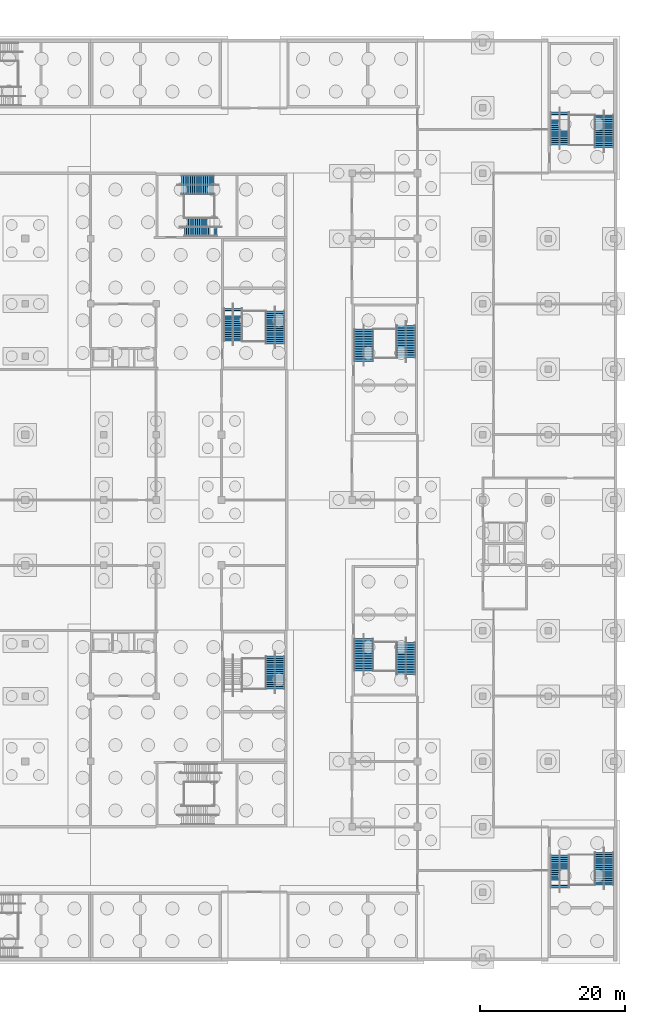
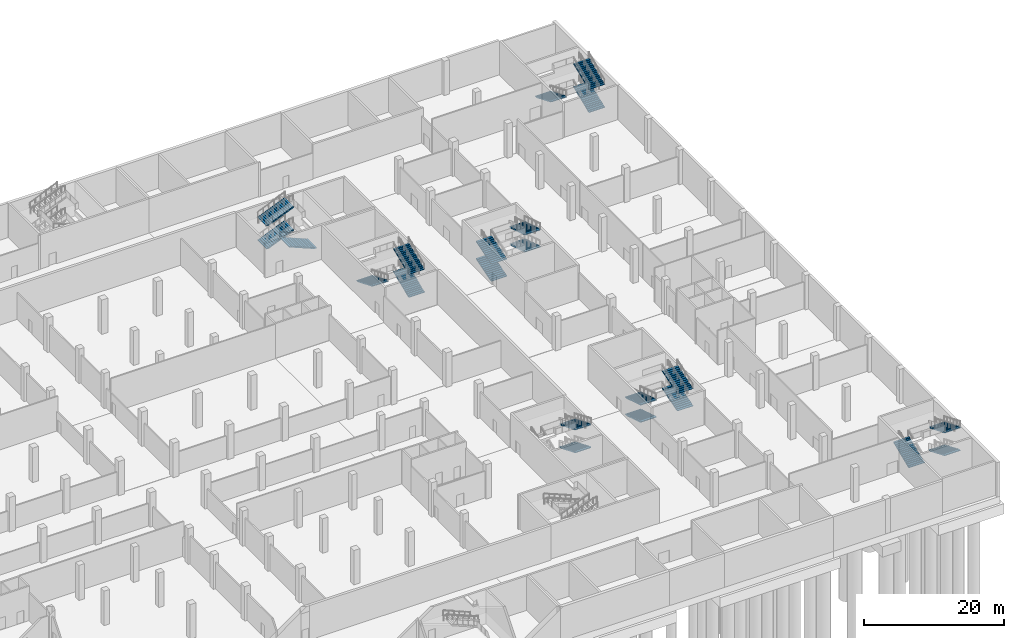
# One storey, part 25 of 42: 22 stair flights, 7 elements without a shape of their own.
"""IFC4 building model written with IfcOpenShell, lengths in metres."""

from ifc_helpers import new_model, si_unit, direction, frame, origin, place, context, subcontext, project, spatial, polyline, outline, extrude, material, type_object, element, aggregate, save


model = new_model("IFC4")

# Units and contexts
model_context = context("Model", 3, precision=1e-05, world=origin(), true_north=direction((0.0, 1.0)))
body_context = subcontext(model_context, "Body", "Model", "MODEL_VIEW")
ifc_project = project(units=[si_unit("LENGTHUNIT", "METRE"), si_unit("AREAUNIT", "SQUARE_METRE"), si_unit("VOLUMEUNIT", "CUBIC_METRE"), si_unit("PLANEANGLEUNIT", "RADIAN"), si_unit("MASSUNIT", "GRAM", prefix="KILO")], contexts=[model_context])

# Site, building, storey
site_placement = place(None, origin())
site = spatial("IfcSite", under=ifc_project, at=site_placement, CompositionType="ELEMENT")
building_placement = place(site_placement, origin())
building = spatial("IfcBuilding", under=site, at=building_placement, Name="Silverbay Arena", CompositionType="ELEMENT")
storey_placement = place(building_placement, frame((0.0, 0.0, -6.0)))
storey = spatial("IfcBuildingStorey", under=building, at=storey_placement, Name="B1", CompositionType="ELEMENT", Elevation=-6.0)

# Stair, stair flights
ifc_material_1 = material(Name="Concrete Grade C45", Category="concrete")
stair_type_1 = type_object("IfcStairType", Name="Stair 2600 wide 56 risers 107.1 x 340", PredefinedType="HALF_TURN_STAIR", material=ifc_material_1)
stair_1_placement = place(storey_placement, origin())
stair_1 = element("IfcStair", 1, at=stair_1_placement, inside=storey, type_object=stair_type_1, Name="Stair ST-E1 B1 to L00", PredefinedType="HALF_TURN_STAIR")
ifc_material_2 = material(Name="Concrete Grade C45", Category="concrete")
stair_flight_type_1 = type_object("IfcStairFlightType", Name="Stair flight 2600 wide 14 risers 107.1 x 340", PredefinedType="STRAIGHT", material=ifc_material_2)
stair_flight_1_placement = place(storey_placement, frame((199.60009765625, 61.899169921875, 0.0), z_axis=(0.0, 0.0, 1.0), x_axis=(0.0, -1.0, 0.0)))
stair_flight_1 = element("IfcStairFlight", 2, at=stair_flight_1_placement, type_object=stair_flight_type_1, Name="Stair ST-E1 B1 to L00 flight 1", NumberOfRisers=14, NumberOfTreads=13, PredefinedType="STRAIGHT", RiserHeight=0.107142857, TreadLength=0.34, context=body_context, shape_type="SweptSolid", body=[
    extrude(outline(polyline([(0.0, 0.0), (0.0, 0.107177734375), (0.340087890625, 0.107177734375), (0.340087890625, 0.21435546875), (0.679931640625, 0.21435546875), (0.679931640625, 0.321533203125), (1.02001953125, 0.321533203125), (1.02001953125, 0.428466796875), (1.360107421875, 0.428466796875), (1.360107421875, 0.53564453125), (1.699951171875, 0.53564453125), (1.699951171875, 0.642822265625), (2.0400390625, 0.642822265625), (2.0400390625, 0.75), (2.3798828125, 0.75), (2.3798828125, 0.857177734375), (2.719970703125, 0.857177734375), (2.719970703125, 0.96435546875), (3.06005859375, 0.96435546875), (3.06005859375, 1.071533203125), (3.39990234375, 1.071533203125), (3.39990234375, 1.178466796875), (3.739990234375, 1.178466796875), (3.739990234375, 1.28564453125), (4.080078125, 1.28564453125), (4.080078125, 1.392822265625), (4.419921875, 1.392822265625), (4.419921875, 1.235595703125), (0.498779296875, 0.0), (0.0, 0.0)])), frame((0.0, 1.300048828125, 0.0), z_axis=(0.0, -1.0, 0.0), x_axis=(1.0, 0.0, 0.0)), (0.0, 0.0, 1.0), 2.60009765625),
])
stair_flight_2_placement = place(storey_placement, frame((205.39990234375, 56.97998046875, 1.5), z_axis=(0.0, 0.0, 1.0), x_axis=(0.0, 1.0, 0.0)))
stair_flight_2 = element("IfcStairFlight", 3, at=stair_flight_2_placement, type_object=stair_flight_type_1, Name="Stair ST-E1 B1 to L00 flight 2", NumberOfRisers=14, NumberOfTreads=13, PredefinedType="STRAIGHT", RiserHeight=0.107142857, TreadLength=0.34, context=body_context, shape_type="SweptSolid", body=[
    extrude(outline(polyline([(0.0, 0.0), (0.0, 0.107177734375), (0.340087890625, 0.107177734375), (0.340087890625, 0.21435546875), (0.679931640625, 0.21435546875), (0.679931640625, 0.321533203125), (1.02001953125, 0.321533203125), (1.02001953125, 0.428466796875), (1.360107421875, 0.428466796875), (1.360107421875, 0.53564453125), (1.699951171875, 0.53564453125), (1.699951171875, 0.642822265625), (2.0400390625, 0.642822265625), (2.0400390625, 0.75), (2.3798828125, 0.75), (2.3798828125, 0.857177734375), (2.719970703125, 0.857177734375), (2.719970703125, 0.96435546875), (3.06005859375, 0.96435546875), (3.06005859375, 1.071533203125), (3.39990234375, 1.071533203125), (3.39990234375, 1.178466796875), (3.739990234375, 1.178466796875), (3.739990234375, 1.28564453125), (4.080078125, 1.28564453125), (4.080078125, 1.392822265625), (4.419921875, 1.392822265625), (4.419921875, 1.235595703125), (0.498779296875, 0.0), (0.0, 0.0)])), frame((0.0, 1.300048828125, 0.0), z_axis=(0.0, -1.0, 0.0), x_axis=(1.0, 0.0, 0.0)), (0.0, 0.0, 1.0), 2.60009765625),
])
stair_flight_3_placement = place(storey_placement, frame((199.60009765625, 61.899169921875, 3.0), z_axis=(0.0, 0.0, 1.0), x_axis=(0.0, -1.0, 0.0)))
stair_flight_3 = element("IfcStairFlight", 4, at=stair_flight_3_placement, type_object=stair_flight_type_1, Name="Stair ST-E1 B1 to L00 flight 3", NumberOfRisers=14, NumberOfTreads=13, PredefinedType="STRAIGHT", RiserHeight=0.107142857, TreadLength=0.34, context=body_context, shape_type="SweptSolid", body=[
    extrude(outline(polyline([(0.0, 0.0), (0.0, 0.107177734375), (0.340087890625, 0.107177734375), (0.340087890625, 0.21435546875), (0.679931640625, 0.21435546875), (0.679931640625, 0.321533203125), (1.02001953125, 0.321533203125), (1.02001953125, 0.428466796875), (1.360107421875, 0.428466796875), (1.360107421875, 0.53564453125), (1.699951171875, 0.53564453125), (1.699951171875, 0.642822265625), (2.0400390625, 0.642822265625), (2.0400390625, 0.75), (2.3798828125, 0.75), (2.3798828125, 0.857177734375), (2.719970703125, 0.857177734375), (2.719970703125, 0.96435546875), (3.06005859375, 0.96435546875), (3.06005859375, 1.071533203125), (3.39990234375, 1.071533203125), (3.39990234375, 1.178466796875), (3.739990234375, 1.178466796875), (3.739990234375, 1.28564453125), (4.080078125, 1.28564453125), (4.080078125, 1.392822265625), (4.419921875, 1.392822265625), (4.419921875, 1.235595703125), (0.498779296875, 0.0), (0.0, 0.0)])), frame((0.0, 1.300048828125, 0.0), z_axis=(0.0, -1.0, 0.0), x_axis=(1.0, 0.0, 0.0)), (0.0, 0.0, 1.0), 2.60009765625),
])
stair_flight_4_placement = place(storey_placement, frame((205.39990234375, 56.97998046875, 4.5), z_axis=(0.0, 0.0, 1.0), x_axis=(0.0, 1.0, 0.0)))
stair_flight_4 = element("IfcStairFlight", 5, at=stair_flight_4_placement, type_object=stair_flight_type_1, Name="Stair ST-E1 B1 to L00 flight 4", NumberOfRisers=14, NumberOfTreads=13, PredefinedType="STRAIGHT", RiserHeight=0.107142857, TreadLength=0.34, context=body_context, shape_type="SweptSolid", body=[
    extrude(outline(polyline([(0.0, 0.0), (0.0, 0.107177734375), (0.340087890625, 0.107177734375), (0.340087890625, 0.21435546875), (0.679931640625, 0.21435546875), (0.679931640625, 0.321533203125), (1.02001953125, 0.321533203125), (1.02001953125, 0.428466796875), (1.360107421875, 0.428466796875), (1.360107421875, 0.53564453125), (1.699951171875, 0.53564453125), (1.699951171875, 0.642822265625), (2.0400390625, 0.642822265625), (2.0400390625, 0.75), (2.3798828125, 0.75), (2.3798828125, 0.857177734375), (2.719970703125, 0.857177734375), (2.719970703125, 0.96435546875), (3.06005859375, 0.96435546875), (3.06005859375, 1.071533203125), (3.39990234375, 1.071533203125), (3.39990234375, 1.178466796875), (3.739990234375, 1.178466796875), (3.739990234375, 1.28564453125), (4.080078125, 1.28564453125), (4.080078125, 1.392822265625), (4.419921875, 1.392822265625), (4.419921875, 1.235595703125), (0.498779296875, 0.0), (0.0, 0.0)])), frame((0.0, 1.300048828125, 0.0), z_axis=(0.0, -1.0, 0.0), x_axis=(1.0, 0.0, 0.0)), (0.0, 0.0, 1.0), 2.60009765625),
])
aggregate(stair_1, [stair_flight_1, stair_flight_2, stair_flight_3, stair_flight_4])

stair_2_placement = place(storey_placement, origin())
stair_2 = element("IfcStair", 6, at=stair_2_placement, inside=storey, type_object=stair_type_1, Name="Stair ST-E2 B1 to L00", PredefinedType="HALF_TURN_STAIR")
stair_flight_5_placement = place(storey_placement, frame((199.60009765625, 100.100830078125, 0.0), z_axis=(0.0, 0.0, 1.0), x_axis=(0.0, 1.0, 0.0)))
stair_flight_5 = element("IfcStairFlight", 7, at=stair_flight_5_placement, type_object=stair_flight_type_1, Name="Stair ST-E2 B1 to L00 flight 1", NumberOfRisers=14, NumberOfTreads=13, PredefinedType="STRAIGHT", RiserHeight=0.107142857, TreadLength=0.34, context=body_context, shape_type="SweptSolid", body=[
    extrude(outline(polyline([(0.0, 0.0), (0.0, 0.107177734375), (0.340087890625, 0.107177734375), (0.340087890625, 0.21435546875), (0.679931640625, 0.21435546875), (0.679931640625, 0.321533203125), (1.02001953125, 0.321533203125), (1.02001953125, 0.428466796875), (1.360107421875, 0.428466796875), (1.360107421875, 0.53564453125), (1.699951171875, 0.53564453125), (1.699951171875, 0.642822265625), (2.0400390625, 0.642822265625), (2.0400390625, 0.75), (2.3798828125, 0.75), (2.3798828125, 0.857177734375), (2.719970703125, 0.857177734375), (2.719970703125, 0.96435546875), (3.06005859375, 0.96435546875), (3.06005859375, 1.071533203125), (3.39990234375, 1.071533203125), (3.39990234375, 1.178466796875), (3.739990234375, 1.178466796875), (3.739990234375, 1.28564453125), (4.080078125, 1.28564453125), (4.080078125, 1.392822265625), (4.419921875, 1.392822265625), (4.419921875, 1.235595703125), (0.498779296875, 0.0), (0.0, 0.0)])), frame((0.0, 1.300048828125, 0.0), z_axis=(0.0, -1.0, 0.0), x_axis=(1.0, 0.0, 0.0)), (0.0, 0.0, 1.0), 2.60009765625),
])
stair_flight_6_placement = place(storey_placement, frame((205.39990234375, 105.02001953125, 1.5), z_axis=(0.0, 0.0, 1.0), x_axis=(0.0, -1.0, 0.0)))
stair_flight_6 = element("IfcStairFlight", 8, at=stair_flight_6_placement, type_object=stair_flight_type_1, Name="Stair ST-E2 B1 to L00 flight 2", NumberOfRisers=14, NumberOfTreads=13, PredefinedType="STRAIGHT", RiserHeight=0.107142857, TreadLength=0.34, context=body_context, shape_type="SweptSolid", body=[
    extrude(outline(polyline([(0.0, 0.0), (0.0, 0.107177734375), (0.340087890625, 0.107177734375), (0.340087890625, 0.21435546875), (0.679931640625, 0.21435546875), (0.679931640625, 0.321533203125), (1.02001953125, 0.321533203125), (1.02001953125, 0.428466796875), (1.360107421875, 0.428466796875), (1.360107421875, 0.53564453125), (1.699951171875, 0.53564453125), (1.699951171875, 0.642822265625), (2.0400390625, 0.642822265625), (2.0400390625, 0.75), (2.3798828125, 0.75), (2.3798828125, 0.857177734375), (2.719970703125, 0.857177734375), (2.719970703125, 0.96435546875), (3.06005859375, 0.96435546875), (3.06005859375, 1.071533203125), (3.39990234375, 1.071533203125), (3.39990234375, 1.178466796875), (3.739990234375, 1.178466796875), (3.739990234375, 1.28564453125), (4.080078125, 1.28564453125), (4.080078125, 1.392822265625), (4.419921875, 1.392822265625), (4.419921875, 1.235595703125), (0.498779296875, 0.0), (0.0, 0.0)])), frame((0.0, 1.300048828125, 0.0), z_axis=(0.0, -1.0, 0.0), x_axis=(1.0, 0.0, 0.0)), (0.0, 0.0, 1.0), 2.60009765625),
])
stair_flight_7_placement = place(storey_placement, frame((199.60009765625, 100.100830078125, 3.0), z_axis=(0.0, 0.0, 1.0), x_axis=(0.0, 1.0, 0.0)))
stair_flight_7 = element("IfcStairFlight", 9, at=stair_flight_7_placement, type_object=stair_flight_type_1, Name="Stair ST-E2 B1 to L00 flight 3", NumberOfRisers=14, NumberOfTreads=13, PredefinedType="STRAIGHT", RiserHeight=0.107142857, TreadLength=0.34, context=body_context, shape_type="SweptSolid", body=[
    extrude(outline(polyline([(0.0, 0.0), (0.0, 0.107177734375), (0.340087890625, 0.107177734375), (0.340087890625, 0.21435546875), (0.679931640625, 0.21435546875), (0.679931640625, 0.321533203125), (1.02001953125, 0.321533203125), (1.02001953125, 0.428466796875), (1.360107421875, 0.428466796875), (1.360107421875, 0.53564453125), (1.699951171875, 0.53564453125), (1.699951171875, 0.642822265625), (2.0400390625, 0.642822265625), (2.0400390625, 0.75), (2.3798828125, 0.75), (2.3798828125, 0.857177734375), (2.719970703125, 0.857177734375), (2.719970703125, 0.96435546875), (3.06005859375, 0.96435546875), (3.06005859375, 1.071533203125), (3.39990234375, 1.071533203125), (3.39990234375, 1.178466796875), (3.739990234375, 1.178466796875), (3.739990234375, 1.28564453125), (4.080078125, 1.28564453125), (4.080078125, 1.392822265625), (4.419921875, 1.392822265625), (4.419921875, 1.235595703125), (0.498779296875, 0.0), (0.0, 0.0)])), frame((0.0, 1.300048828125, 0.0), z_axis=(0.0, -1.0, 0.0), x_axis=(1.0, 0.0, 0.0)), (0.0, 0.0, 1.0), 2.60009765625),
])
stair_flight_8_placement = place(storey_placement, frame((205.39990234375, 105.02001953125, 4.5), z_axis=(0.0, 0.0, 1.0), x_axis=(0.0, -1.0, 0.0)))
stair_flight_8 = element("IfcStairFlight", 10, at=stair_flight_8_placement, type_object=stair_flight_type_1, Name="Stair ST-E2 B1 to L00 flight 4", NumberOfRisers=14, NumberOfTreads=13, PredefinedType="STRAIGHT", RiserHeight=0.107142857, TreadLength=0.34, context=body_context, shape_type="SweptSolid", body=[
    extrude(outline(polyline([(0.0, 0.0), (0.0, 0.107177734375), (0.340087890625, 0.107177734375), (0.340087890625, 0.21435546875), (0.679931640625, 0.21435546875), (0.679931640625, 0.321533203125), (1.02001953125, 0.321533203125), (1.02001953125, 0.428466796875), (1.360107421875, 0.428466796875), (1.360107421875, 0.53564453125), (1.699951171875, 0.53564453125), (1.699951171875, 0.642822265625), (2.0400390625, 0.642822265625), (2.0400390625, 0.75), (2.3798828125, 0.75), (2.3798828125, 0.857177734375), (2.719970703125, 0.857177734375), (2.719970703125, 0.96435546875), (3.06005859375, 0.96435546875), (3.06005859375, 1.071533203125), (3.39990234375, 1.071533203125), (3.39990234375, 1.178466796875), (3.739990234375, 1.178466796875), (3.739990234375, 1.28564453125), (4.080078125, 1.28564453125), (4.080078125, 1.392822265625), (4.419921875, 1.392822265625), (4.419921875, 1.235595703125), (0.498779296875, 0.0), (0.0, 0.0)])), frame((0.0, 1.300048828125, 0.0), z_axis=(0.0, -1.0, 0.0), x_axis=(1.0, 0.0, 0.0)), (0.0, 0.0, 1.0), 2.60009765625),
])
aggregate(stair_2, [stair_flight_5, stair_flight_6, stair_flight_7, stair_flight_8])

ifc_material_3 = material(Name="Concrete Grade C45", Category="concrete")
stair_type_2 = type_object("IfcStairType", Name="Stair 2600 wide 48 risers 125.0 x 300", PredefinedType="HALF_TURN_STAIR", material=ifc_material_3)
stair_3_placement = place(storey_placement, origin())
stair_3 = element("IfcStair", 11, at=stair_3_placement, inside=storey, type_object=stair_type_2, Name="Stair ST-SE2 B1 to L00", PredefinedType="HALF_TURN_STAIR")
ifc_material_4 = material(Name="Concrete Grade C45", Category="concrete")
stair_flight_type_2 = type_object("IfcStairFlightType", Name="Stair flight 2600 wide 16 risers 125.0 x 300", PredefinedType="STRAIGHT", material=ifc_material_4)
stair_flight_9_placement = place(storey_placement, frame((187.39990234375, 59.489990234375, 0.0), z_axis=(0.0, 0.0, 1.0), x_axis=(0.0, -1.0, 0.0)))
stair_flight_9 = element("IfcStairFlight", 12, at=stair_flight_9_placement, type_object=stair_flight_type_2, Name="Stair ST-SE2 B1 to L00 flight 1", NumberOfRisers=16, NumberOfTreads=15, PredefinedType="STRAIGHT", RiserHeight=0.125, TreadLength=0.3, context=body_context, shape_type="SweptSolid", body=[
    extrude(outline(polyline([(0.0, 0.0), (0.0, 0.125), (0.300048828125, 0.125), (0.300048828125, 0.25), (0.60009765625, 0.25), (0.60009765625, 0.375), (0.89990234375, 0.375), (0.89990234375, 0.5), (1.199951171875, 0.5), (1.199951171875, 0.625), (1.5, 0.625), (1.5, 0.75), (1.800048828125, 0.75), (1.800048828125, 0.875), (2.10009765625, 0.875), (2.10009765625, 1.0), (2.39990234375, 1.0), (2.39990234375, 1.125), (2.699951171875, 1.125), (2.699951171875, 1.25), (3.0, 1.25), (3.0, 1.375), (3.300048828125, 1.375), (3.300048828125, 1.5), (3.60009765625, 1.5), (3.60009765625, 1.625), (3.89990234375, 1.625), (3.89990234375, 1.75), (4.199951171875, 1.75), (4.199951171875, 1.875), (4.5, 1.875), (4.5, 1.712646484375), (0.3896484375, 0.0), (0.0, 0.0)])), frame((0.0, 1.300048828125, 0.0), z_axis=(0.0, -1.0, 0.0), x_axis=(1.0, 0.0, 0.0)), (0.0, 0.0, 1.0), 2.60009765625),
])
stair_flight_10_placement = place(storey_placement, frame((187.39990234375, 59.489990234375, 4.0), z_axis=(0.0, 0.0, 1.0), x_axis=(0.0, -1.0, 0.0)))
stair_flight_10 = element("IfcStairFlight", 13, at=stair_flight_10_placement, type_object=stair_flight_type_2, Name="Stair ST-SE2 B1 to L00 flight 3", NumberOfRisers=16, NumberOfTreads=15, PredefinedType="STRAIGHT", RiserHeight=0.125, TreadLength=0.3, context=body_context, shape_type="SweptSolid", body=[
    extrude(outline(polyline([(0.0, 0.0), (0.0, 0.125), (0.300048828125, 0.125), (0.300048828125, 0.25), (0.60009765625, 0.25), (0.60009765625, 0.375), (0.89990234375, 0.375), (0.89990234375, 0.5), (1.199951171875, 0.5), (1.199951171875, 0.625), (1.5, 0.625), (1.5, 0.75), (1.800048828125, 0.75), (1.800048828125, 0.875), (2.10009765625, 0.875), (2.10009765625, 1.0), (2.39990234375, 1.0), (2.39990234375, 1.125), (2.699951171875, 1.125), (2.699951171875, 1.25), (3.0, 1.25), (3.0, 1.375), (3.300048828125, 1.375), (3.300048828125, 1.5), (3.60009765625, 1.5), (3.60009765625, 1.625), (3.89990234375, 1.625), (3.89990234375, 1.75), (4.199951171875, 1.75), (4.199951171875, 1.875), (4.5, 1.875), (4.5, 1.712646484375), (0.3896484375, 0.0), (0.0, 0.0)])), frame((0.0, 1.300048828125, 0.0), z_axis=(0.0, -1.0, 0.0), x_axis=(1.0, 0.0, 0.0)), (0.0, 0.0, 1.0), 2.60009765625),
])
aggregate(stair_3, [stair_flight_9, stair_flight_10])

stair_4_placement = place(storey_placement, origin())
stair_4 = element("IfcStair", 14, at=stair_4_placement, inside=storey, type_object=stair_type_2, Name="Stair ST-NE1 B1 to L00", PredefinedType="HALF_TURN_STAIR")
stair_flight_11_placement = place(storey_placement, frame((174.510009765625, 124.39990234375, 0.0), z_axis=(0.0, 0.0, 1.0), x_axis=(1.0, 0.0, 0.0)))
stair_flight_11 = element("IfcStairFlight", 15, at=stair_flight_11_placement, type_object=stair_flight_type_2, Name="Stair ST-NE1 B1 to L00 flight 1", NumberOfRisers=16, NumberOfTreads=15, PredefinedType="STRAIGHT", RiserHeight=0.125, TreadLength=0.3, context=body_context, shape_type="SweptSolid", body=[
    extrude(outline(polyline([(0.0, 0.0), (0.0, 0.125), (0.300048828125, 0.125), (0.300048828125, 0.25), (0.60009765625, 0.25), (0.60009765625, 0.375), (0.89990234375, 0.375), (0.89990234375, 0.5), (1.199951171875, 0.5), (1.199951171875, 0.625), (1.5, 0.625), (1.5, 0.75), (1.800048828125, 0.75), (1.800048828125, 0.875), (2.10009765625, 0.875), (2.10009765625, 1.0), (2.39990234375, 1.0), (2.39990234375, 1.125), (2.699951171875, 1.125), (2.699951171875, 1.25), (3.0, 1.25), (3.0, 1.375), (3.300048828125, 1.375), (3.300048828125, 1.5), (3.60009765625, 1.5), (3.60009765625, 1.625), (3.89990234375, 1.625), (3.89990234375, 1.75), (4.199951171875, 1.75), (4.199951171875, 1.875), (4.5, 1.875), (4.5, 1.712646484375), (0.3896484375, 0.0), (0.0, 0.0)])), frame((0.0, 1.300048828125, 0.0), z_axis=(0.0, -1.0, 0.0), x_axis=(1.0, 0.0, 0.0)), (0.0, 0.0, 1.0), 2.60009765625),
])
stair_flight_12_placement = place(storey_placement, frame((179.39990234375, 118.60009765625, 2.0), z_axis=(0.0, 0.0, 1.0), x_axis=(-1.0, 0.0, 0.0)))
stair_flight_12 = element("IfcStairFlight", 16, at=stair_flight_12_placement, type_object=stair_flight_type_2, Name="Stair ST-NE1 B1 to L00 flight 2", NumberOfRisers=16, NumberOfTreads=15, PredefinedType="STRAIGHT", RiserHeight=0.125, TreadLength=0.3, context=body_context, shape_type="SweptSolid", body=[
    extrude(outline(polyline([(0.0, 0.0), (0.0, 0.125), (0.300048828125, 0.125), (0.300048828125, 0.25), (0.60009765625, 0.25), (0.60009765625, 0.375), (0.89990234375, 0.375), (0.89990234375, 0.5), (1.199951171875, 0.5), (1.199951171875, 0.625), (1.5, 0.625), (1.5, 0.75), (1.800048828125, 0.75), (1.800048828125, 0.875), (2.10009765625, 0.875), (2.10009765625, 1.0), (2.39990234375, 1.0), (2.39990234375, 1.125), (2.699951171875, 1.125), (2.699951171875, 1.25), (3.0, 1.25), (3.0, 1.375), (3.300048828125, 1.375), (3.300048828125, 1.5), (3.60009765625, 1.5), (3.60009765625, 1.625), (3.89990234375, 1.625), (3.89990234375, 1.75), (4.199951171875, 1.75), (4.199951171875, 1.875), (4.5, 1.875), (4.5, 1.712646484375), (0.3896484375, 0.0), (0.0, 0.0)])), frame((0.0, 1.300048828125, 0.0), z_axis=(0.0, -1.0, 0.0), x_axis=(1.0, 0.0, 0.0)), (0.0, 0.0, 1.0), 2.60009765625),
])
stair_flight_13_placement = place(storey_placement, frame((174.510009765625, 124.39990234375, 4.0), z_axis=(0.0, 0.0, 1.0), x_axis=(1.0, 0.0, 0.0)))
stair_flight_13 = element("IfcStairFlight", 17, at=stair_flight_13_placement, type_object=stair_flight_type_2, Name="Stair ST-NE1 B1 to L00 flight 3", NumberOfRisers=16, NumberOfTreads=15, PredefinedType="STRAIGHT", RiserHeight=0.125, TreadLength=0.3, context=body_context, shape_type="SweptSolid", body=[
    extrude(outline(polyline([(0.0, 0.0), (0.0, 0.125), (0.300048828125, 0.125), (0.300048828125, 0.25), (0.60009765625, 0.25), (0.60009765625, 0.375), (0.89990234375, 0.375), (0.89990234375, 0.5), (1.199951171875, 0.5), (1.199951171875, 0.625), (1.5, 0.625), (1.5, 0.75), (1.800048828125, 0.75), (1.800048828125, 0.875), (2.10009765625, 0.875), (2.10009765625, 1.0), (2.39990234375, 1.0), (2.39990234375, 1.125), (2.699951171875, 1.125), (2.699951171875, 1.25), (3.0, 1.25), (3.0, 1.375), (3.300048828125, 1.375), (3.300048828125, 1.5), (3.60009765625, 1.5), (3.60009765625, 1.625), (3.89990234375, 1.625), (3.89990234375, 1.75), (4.199951171875, 1.75), (4.199951171875, 1.875), (4.5, 1.875), (4.5, 1.712646484375), (0.3896484375, 0.0), (0.0, 0.0)])), frame((0.0, 1.300048828125, 0.0), z_axis=(0.0, -1.0, 0.0), x_axis=(1.0, 0.0, 0.0)), (0.0, 0.0, 1.0), 2.60009765625),
])
aggregate(stair_4, [stair_flight_11, stair_flight_12, stair_flight_13])

stair_5_placement = place(storey_placement, origin())
stair_5 = element("IfcStair", 18, at=stair_5_placement, inside=storey, type_object=stair_type_2, Name="Stair ST-NE2 B1 to L00", PredefinedType="HALF_TURN_STAIR")
stair_flight_14_placement = place(storey_placement, frame((187.39990234375, 102.510009765625, 0.0), z_axis=(0.0, 0.0, 1.0), x_axis=(0.0, 1.0, 0.0)))
stair_flight_14 = element("IfcStairFlight", 19, at=stair_flight_14_placement, type_object=stair_flight_type_2, Name="Stair ST-NE2 B1 to L00 flight 1", NumberOfRisers=16, NumberOfTreads=15, PredefinedType="STRAIGHT", RiserHeight=0.125, TreadLength=0.3, context=body_context, shape_type="SweptSolid", body=[
    extrude(outline(polyline([(0.0, 0.0), (0.0, 0.125), (0.300048828125, 0.125), (0.300048828125, 0.25), (0.60009765625, 0.25), (0.60009765625, 0.375), (0.89990234375, 0.375), (0.89990234375, 0.5), (1.199951171875, 0.5), (1.199951171875, 0.625), (1.5, 0.625), (1.5, 0.75), (1.800048828125, 0.75), (1.800048828125, 0.875), (2.10009765625, 0.875), (2.10009765625, 1.0), (2.39990234375, 1.0), (2.39990234375, 1.125), (2.699951171875, 1.125), (2.699951171875, 1.25), (3.0, 1.25), (3.0, 1.375), (3.300048828125, 1.375), (3.300048828125, 1.5), (3.60009765625, 1.5), (3.60009765625, 1.625), (3.89990234375, 1.625), (3.89990234375, 1.75), (4.199951171875, 1.75), (4.199951171875, 1.875), (4.5, 1.875), (4.5, 1.712646484375), (0.3896484375, 0.0), (0.0, 0.0)])), frame((0.0, 1.300048828125, 0.0), z_axis=(0.0, -1.0, 0.0), x_axis=(1.0, 0.0, 0.0)), (0.0, 0.0, 1.0), 2.60009765625),
])
stair_flight_15_placement = place(storey_placement, frame((181.60009765625, 107.39990234375, 2.0), z_axis=(0.0, 0.0, 1.0), x_axis=(0.0, -1.0, 0.0)))
stair_flight_15 = element("IfcStairFlight", 20, at=stair_flight_15_placement, type_object=stair_flight_type_2, Name="Stair ST-NE2 B1 to L00 flight 2", NumberOfRisers=16, NumberOfTreads=15, PredefinedType="STRAIGHT", RiserHeight=0.125, TreadLength=0.3, context=body_context, shape_type="SweptSolid", body=[
    extrude(outline(polyline([(0.0, 0.0), (0.0, 0.125), (0.300048828125, 0.125), (0.300048828125, 0.25), (0.60009765625, 0.25), (0.60009765625, 0.375), (0.89990234375, 0.375), (0.89990234375, 0.5), (1.199951171875, 0.5), (1.199951171875, 0.625), (1.5, 0.625), (1.5, 0.75), (1.800048828125, 0.75), (1.800048828125, 0.875), (2.10009765625, 0.875), (2.10009765625, 1.0), (2.39990234375, 1.0), (2.39990234375, 1.125), (2.699951171875, 1.125), (2.699951171875, 1.25), (3.0, 1.25), (3.0, 1.375), (3.300048828125, 1.375), (3.300048828125, 1.5), (3.60009765625, 1.5), (3.60009765625, 1.625), (3.89990234375, 1.625), (3.89990234375, 1.75), (4.199951171875, 1.75), (4.199951171875, 1.875), (4.5, 1.875), (4.5, 1.712646484375), (0.3896484375, 0.0), (0.0, 0.0)])), frame((0.0, 1.300048828125, 0.0), z_axis=(0.0, -1.0, 0.0), x_axis=(1.0, 0.0, 0.0)), (0.0, 0.0, 1.0), 2.60009765625),
])
stair_flight_16_placement = place(storey_placement, frame((187.39990234375, 102.510009765625, 4.0), z_axis=(0.0, 0.0, 1.0), x_axis=(0.0, 1.0, 0.0)))
stair_flight_16 = element("IfcStairFlight", 21, at=stair_flight_16_placement, type_object=stair_flight_type_2, Name="Stair ST-NE2 B1 to L00 flight 3", NumberOfRisers=16, NumberOfTreads=15, PredefinedType="STRAIGHT", RiserHeight=0.125, TreadLength=0.3, context=body_context, shape_type="SweptSolid", body=[
    extrude(outline(polyline([(0.0, 0.0), (0.0, 0.125), (0.300048828125, 0.125), (0.300048828125, 0.25), (0.60009765625, 0.25), (0.60009765625, 0.375), (0.89990234375, 0.375), (0.89990234375, 0.5), (1.199951171875, 0.5), (1.199951171875, 0.625), (1.5, 0.625), (1.5, 0.75), (1.800048828125, 0.75), (1.800048828125, 0.875), (2.10009765625, 0.875), (2.10009765625, 1.0), (2.39990234375, 1.0), (2.39990234375, 1.125), (2.699951171875, 1.125), (2.699951171875, 1.25), (3.0, 1.25), (3.0, 1.375), (3.300048828125, 1.375), (3.300048828125, 1.5), (3.60009765625, 1.5), (3.60009765625, 1.625), (3.89990234375, 1.625), (3.89990234375, 1.75), (4.199951171875, 1.75), (4.199951171875, 1.875), (4.5, 1.875), (4.5, 1.712646484375), (0.3896484375, 0.0), (0.0, 0.0)])), frame((0.0, 1.300048828125, 0.0), z_axis=(0.0, -1.0, 0.0), x_axis=(1.0, 0.0, 0.0)), (0.0, 0.0, 1.0), 2.60009765625),
])
aggregate(stair_5, [stair_flight_14, stair_flight_15, stair_flight_16])

stair_6_placement = place(storey_placement, origin())
stair_6 = element("IfcStair", 22, at=stair_6_placement, inside=storey, type_object=stair_type_2, Name="Stair ST-EG1 B1 to L00", PredefinedType="HALF_TURN_STAIR")
stair_flight_17_placement = place(storey_placement, frame((232.699951171875, 32.489990234375, 0.0), z_axis=(0.0, 0.0, 1.0), x_axis=(0.0, -1.0, 0.0)))
stair_flight_17 = element("IfcStairFlight", 23, at=stair_flight_17_placement, type_object=stair_flight_type_2, Name="Stair ST-EG1 B1 to L00 flight 1", NumberOfRisers=16, NumberOfTreads=15, PredefinedType="STRAIGHT", RiserHeight=0.125, TreadLength=0.3, context=body_context, shape_type="SweptSolid", body=[
    extrude(outline(polyline([(0.0, 0.0), (0.0, 0.125), (0.300048828125, 0.125), (0.300048828125, 0.25), (0.60009765625, 0.25), (0.60009765625, 0.375), (0.89990234375, 0.375), (0.89990234375, 0.5), (1.199951171875, 0.5), (1.199951171875, 0.625), (1.5, 0.625), (1.5, 0.75), (1.800048828125, 0.75), (1.800048828125, 0.875), (2.10009765625, 0.875), (2.10009765625, 1.0), (2.39990234375, 1.0), (2.39990234375, 1.125), (2.699951171875, 1.125), (2.699951171875, 1.25), (3.0, 1.25), (3.0, 1.375), (3.300048828125, 1.375), (3.300048828125, 1.5), (3.60009765625, 1.5), (3.60009765625, 1.625), (3.89990234375, 1.625), (3.89990234375, 1.75), (4.199951171875, 1.75), (4.199951171875, 1.875), (4.5, 1.875), (4.5, 1.712646484375), (0.3896484375, 0.0), (0.0, 0.0)])), frame((0.0, 1.300048828125, 0.0), z_axis=(0.0, -1.0, 0.0), x_axis=(1.0, 0.0, 0.0)), (0.0, 0.0, 1.0), 2.60009765625),
])
stair_flight_18_placement = place(storey_placement, frame((226.60009765625, 27.60009765625, 2.0), z_axis=(0.0, 0.0, 1.0), x_axis=(0.0, 1.0, 0.0)))
stair_flight_18 = element("IfcStairFlight", 24, at=stair_flight_18_placement, type_object=stair_flight_type_2, Name="Stair ST-EG1 B1 to L00 flight 2", NumberOfRisers=16, NumberOfTreads=15, PredefinedType="STRAIGHT", RiserHeight=0.125, TreadLength=0.3, context=body_context, shape_type="SweptSolid", body=[
    extrude(outline(polyline([(0.0, 0.0), (0.0, 0.125), (0.300048828125, 0.125), (0.300048828125, 0.25), (0.60009765625, 0.25), (0.60009765625, 0.375), (0.89990234375, 0.375), (0.89990234375, 0.5), (1.199951171875, 0.5), (1.199951171875, 0.625), (1.5, 0.625), (1.5, 0.75), (1.800048828125, 0.75), (1.800048828125, 0.875), (2.10009765625, 0.875), (2.10009765625, 1.0), (2.39990234375, 1.0), (2.39990234375, 1.125), (2.699951171875, 1.125), (2.699951171875, 1.25), (3.0, 1.25), (3.0, 1.375), (3.300048828125, 1.375), (3.300048828125, 1.5), (3.60009765625, 1.5), (3.60009765625, 1.625), (3.89990234375, 1.625), (3.89990234375, 1.75), (4.199951171875, 1.75), (4.199951171875, 1.875), (4.5, 1.875), (4.5, 1.712646484375), (0.3896484375, 0.0), (0.0, 0.0)])), frame((0.0, 1.300048828125, 0.0), z_axis=(0.0, -1.0, 0.0), x_axis=(1.0, 0.0, 0.0)), (0.0, 0.0, 1.0), 2.60009765625),
])
stair_flight_19_placement = place(storey_placement, frame((232.699951171875, 32.489990234375, 4.0), z_axis=(0.0, 0.0, 1.0), x_axis=(0.0, -1.0, 0.0)))
stair_flight_19 = element("IfcStairFlight", 25, at=stair_flight_19_placement, type_object=stair_flight_type_2, Name="Stair ST-EG1 B1 to L00 flight 3", NumberOfRisers=16, NumberOfTreads=15, PredefinedType="STRAIGHT", RiserHeight=0.125, TreadLength=0.3, context=body_context, shape_type="SweptSolid", body=[
    extrude(outline(polyline([(0.0, 0.0), (0.0, 0.125), (0.300048828125, 0.125), (0.300048828125, 0.25), (0.60009765625, 0.25), (0.60009765625, 0.375), (0.89990234375, 0.375), (0.89990234375, 0.5), (1.199951171875, 0.5), (1.199951171875, 0.625), (1.5, 0.625), (1.5, 0.75), (1.800048828125, 0.75), (1.800048828125, 0.875), (2.10009765625, 0.875), (2.10009765625, 1.0), (2.39990234375, 1.0), (2.39990234375, 1.125), (2.699951171875, 1.125), (2.699951171875, 1.25), (3.0, 1.25), (3.0, 1.375), (3.300048828125, 1.375), (3.300048828125, 1.5), (3.60009765625, 1.5), (3.60009765625, 1.625), (3.89990234375, 1.625), (3.89990234375, 1.75), (4.199951171875, 1.75), (4.199951171875, 1.875), (4.5, 1.875), (4.5, 1.712646484375), (0.3896484375, 0.0), (0.0, 0.0)])), frame((0.0, 1.300048828125, 0.0), z_axis=(0.0, -1.0, 0.0), x_axis=(1.0, 0.0, 0.0)), (0.0, 0.0, 1.0), 2.60009765625),
])
aggregate(stair_6, [stair_flight_17, stair_flight_18, stair_flight_19])

stair_7_placement = place(storey_placement, origin())
stair_7 = element("IfcStair", 26, at=stair_7_placement, inside=storey, type_object=stair_type_2, Name="Stair ST-EG2 B1 to L00", PredefinedType="HALF_TURN_STAIR")
stair_flight_20_placement = place(storey_placement, frame((232.699951171875, 129.510009765625, 0.0), z_axis=(0.0, 0.0, 1.0), x_axis=(0.0, 1.0, 0.0)))
stair_flight_20 = element("IfcStairFlight", 27, at=stair_flight_20_placement, type_object=stair_flight_type_2, Name="Stair ST-EG2 B1 to L00 flight 1", NumberOfRisers=16, NumberOfTreads=15, PredefinedType="STRAIGHT", RiserHeight=0.125, TreadLength=0.3, context=body_context, shape_type="SweptSolid", body=[
    extrude(outline(polyline([(0.0, 0.0), (0.0, 0.125), (0.300048828125, 0.125), (0.300048828125, 0.25), (0.60009765625, 0.25), (0.60009765625, 0.375), (0.89990234375, 0.375), (0.89990234375, 0.5), (1.199951171875, 0.5), (1.199951171875, 0.625), (1.5, 0.625), (1.5, 0.75), (1.800048828125, 0.75), (1.800048828125, 0.875), (2.10009765625, 0.875), (2.10009765625, 1.0), (2.39990234375, 1.0), (2.39990234375, 1.125), (2.699951171875, 1.125), (2.699951171875, 1.25), (3.0, 1.25), (3.0, 1.375), (3.300048828125, 1.375), (3.300048828125, 1.5), (3.60009765625, 1.5), (3.60009765625, 1.625), (3.89990234375, 1.625), (3.89990234375, 1.75), (4.199951171875, 1.75), (4.199951171875, 1.875), (4.5, 1.875), (4.5, 1.712646484375), (0.3896484375, 0.0), (0.0, 0.0)])), frame((0.0, 1.300048828125, 0.0), z_axis=(0.0, -1.0, 0.0), x_axis=(1.0, 0.0, 0.0)), (0.0, 0.0, 1.0), 2.60009765625),
])
stair_flight_21_placement = place(storey_placement, frame((226.60009765625, 134.39990234375, 2.0), z_axis=(0.0, 0.0, 1.0), x_axis=(0.0, -1.0, 0.0)))
stair_flight_21 = element("IfcStairFlight", 28, at=stair_flight_21_placement, type_object=stair_flight_type_2, Name="Stair ST-EG2 B1 to L00 flight 2", NumberOfRisers=16, NumberOfTreads=15, PredefinedType="STRAIGHT", RiserHeight=0.125, TreadLength=0.3, context=body_context, shape_type="SweptSolid", body=[
    extrude(outline(polyline([(0.0, 0.0), (0.0, 0.125), (0.300048828125, 0.125), (0.300048828125, 0.25), (0.60009765625, 0.25), (0.60009765625, 0.375), (0.89990234375, 0.375), (0.89990234375, 0.5), (1.199951171875, 0.5), (1.199951171875, 0.625), (1.5, 0.625), (1.5, 0.75), (1.800048828125, 0.75), (1.800048828125, 0.875), (2.10009765625, 0.875), (2.10009765625, 1.0), (2.39990234375, 1.0), (2.39990234375, 1.125), (2.699951171875, 1.125), (2.699951171875, 1.25), (3.0, 1.25), (3.0, 1.375), (3.300048828125, 1.375), (3.300048828125, 1.5), (3.60009765625, 1.5), (3.60009765625, 1.625), (3.89990234375, 1.625), (3.89990234375, 1.75), (4.199951171875, 1.75), (4.199951171875, 1.875), (4.5, 1.875), (4.5, 1.712646484375), (0.3896484375, 0.0), (0.0, 0.0)])), frame((0.0, 1.300048828125, 0.0), z_axis=(0.0, -1.0, 0.0), x_axis=(1.0, 0.0, 0.0)), (0.0, 0.0, 1.0), 2.60009765625),
])
stair_flight_22_placement = place(storey_placement, frame((232.699951171875, 129.510009765625, 4.0), z_axis=(0.0, 0.0, 1.0), x_axis=(0.0, 1.0, 0.0)))
stair_flight_22 = element("IfcStairFlight", 29, at=stair_flight_22_placement, type_object=stair_flight_type_2, Name="Stair ST-EG2 B1 to L00 flight 3", NumberOfRisers=16, NumberOfTreads=15, PredefinedType="STRAIGHT", RiserHeight=0.125, TreadLength=0.3, context=body_context, shape_type="SweptSolid", body=[
    extrude(outline(polyline([(0.0, 0.0), (0.0, 0.125), (0.300048828125, 0.125), (0.300048828125, 0.25), (0.60009765625, 0.25), (0.60009765625, 0.375), (0.89990234375, 0.375), (0.89990234375, 0.5), (1.199951171875, 0.5), (1.199951171875, 0.625), (1.5, 0.625), (1.5, 0.75), (1.800048828125, 0.75), (1.800048828125, 0.875), (2.10009765625, 0.875), (2.10009765625, 1.0), (2.39990234375, 1.0), (2.39990234375, 1.125), (2.699951171875, 1.125), (2.699951171875, 1.25), (3.0, 1.25), (3.0, 1.375), (3.300048828125, 1.375), (3.300048828125, 1.5), (3.60009765625, 1.5), (3.60009765625, 1.625), (3.89990234375, 1.625), (3.89990234375, 1.75), (4.199951171875, 1.75), (4.199951171875, 1.875), (4.5, 1.875), (4.5, 1.712646484375), (0.3896484375, 0.0), (0.0, 0.0)])), frame((0.0, 1.300048828125, 0.0), z_axis=(0.0, -1.0, 0.0), x_axis=(1.0, 0.0, 0.0)), (0.0, 0.0, 1.0), 2.60009765625),
])
aggregate(stair_7, [stair_flight_20, stair_flight_21, stair_flight_22])

save(model, "model.ifc")
